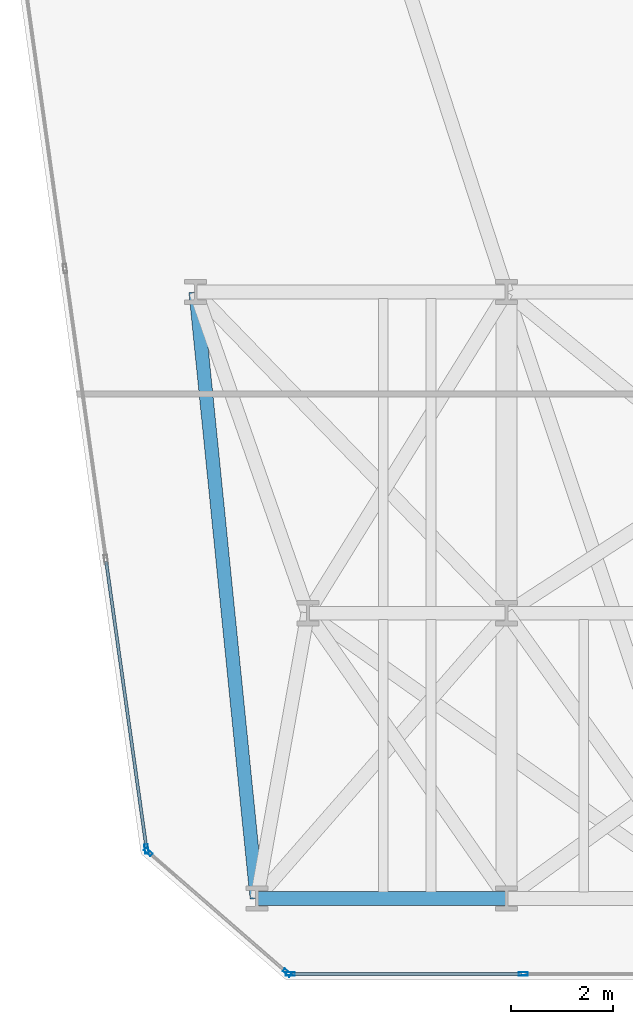
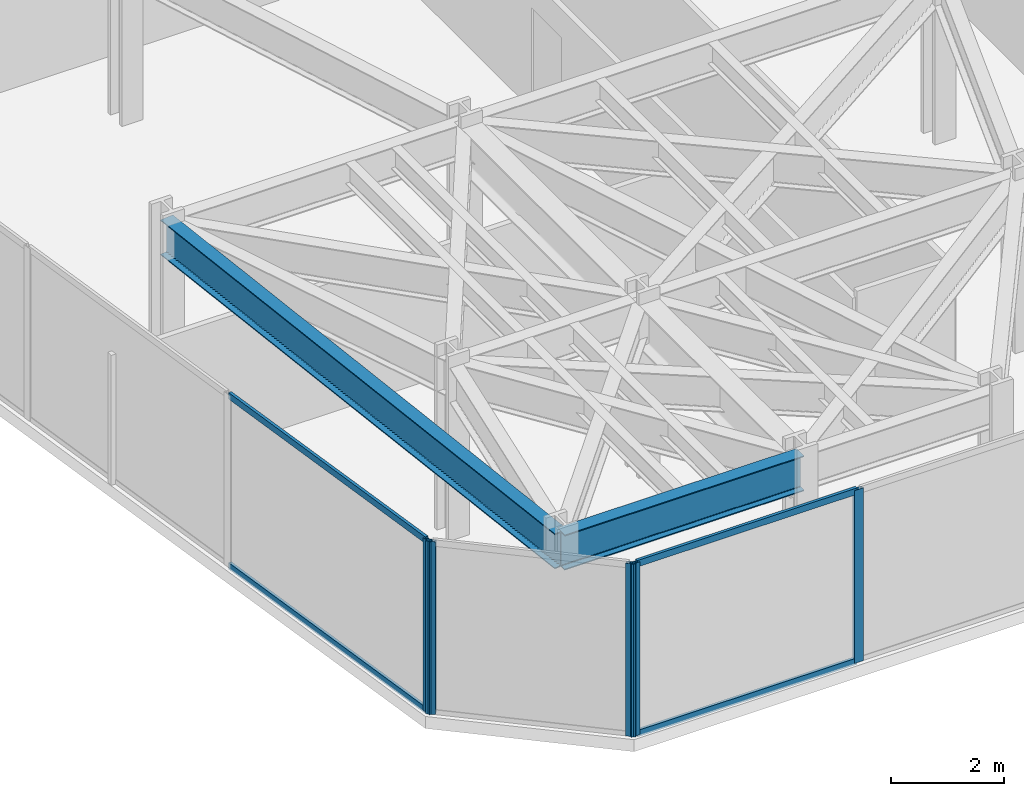
# One storey, part 2 of 25: 9 members, 2 beams, 3 elements without a shape of their own.
"""IFC4 building model written with IfcOpenShell, lengths in metres."""

from ifc_helpers import new_model, si_unit, direction, frame, origin, origin_2d, place, context, subcontext, project, spatial, hollow_rectangle, i_section, extrude, material, layer, layer_set, material_profile, profile_set, type_object, element, aggregate, save


model = new_model("IFC4")

# Units and contexts
model_context = context("Model", 3, precision=1e-05, world=origin(), true_north=direction((0.0, 1.0)))
body_context = subcontext(model_context, "Body", "Model", "MODEL_VIEW")
ifc_project = project(units=[si_unit("LENGTHUNIT", "METRE"), si_unit("AREAUNIT", "SQUARE_METRE"), si_unit("VOLUMEUNIT", "CUBIC_METRE"), si_unit("PLANEANGLEUNIT", "RADIAN"), si_unit("MASSUNIT", "GRAM", prefix="KILO")], contexts=[model_context])

# Site, building, storey
site_placement = place(None, origin())
site = spatial("IfcSite", under=ifc_project, at=site_placement, CompositionType="ELEMENT")
building_placement = place(site_placement, origin())
building = spatial("IfcBuilding", under=site, at=building_placement, Name="Kravanh Interchange Tower", CompositionType="ELEMENT")
storey_placement = place(building_placement, frame((0.0, 0.0, 73.5)))
storey = spatial("IfcBuildingStorey", under=building, at=storey_placement, Name="L17", CompositionType="ELEMENT", Elevation=73.5)

# Curtain wall, member
ifc_material_1 = material(Name="Anodised Bronze Aluminium", Category="aluminium")
ifc_layer = layer(ifc_material_1, 0.179931640625)
ifc_layer_set = layer_set([ifc_layer], Name="Unitised Curtain Wall System CW-Z1 Lower Office")
curtain_wall_type = type_object("IfcCurtainWallType", Name="Unitised Curtain Wall System CW-Z1 Lower Office", PredefinedType="NOTDEFINED", material=ifc_layer_set)
curtain_wall_1_placement = place(storey_placement, origin())
curtain_wall_1 = element("IfcCurtainWall", 1, at=curtain_wall_1_placement, inside=storey, type_object=curtain_wall_type, Name="L17 Unitised Curtain Wall CW-L17-01", PredefinedType="NOTDEFINED")
ifc_material_2 = material(Name="Anodised Bronze Aluminium", Category="aluminium")
ifc_material_profile_1 = material_profile(ifc_material_2, hollow_rectangle(XDim=0.070068359375, YDim=0.179931640625, WallThickness=0.00390625, at=origin_2d()), Name="ALU70X180X4")
ifc_profile_set_1 = profile_set([ifc_material_profile_1], Name="Anodised Bronze Aluminium")
member_type_1 = type_object("IfcMemberType", Name="Curtain Wall Mullion ALU70X180X4 Bronze", PredefinedType="MULLION", material=ifc_profile_set_1)
member_1_placement = place(storey_placement, frame((10.435546875, 3.571533203125, 0.0), z_axis=(0.0, 0.0, 1.0), x_axis=(-0.990267585682, -0.139176538065, 0.0)))
member_1 = element("IfcMember", 2, at=member_1_placement, type_object=member_type_1, Name="CW-Z1 mullion 1", PredefinedType="MULLION", context=body_context, shape_type="SweptSolid", body=[
    extrude(hollow_rectangle(XDim=0.070068359375, YDim=0.179931640625, WallThickness=0.00390625, at=origin_2d()), origin(), (0.0, 0.0, 1.0), 3.739990234375),
])

# Curtain wall, members
curtain_wall_2_placement = place(storey_placement, origin())
curtain_wall_2 = element("IfcCurtainWall", 3, at=curtain_wall_2_placement, inside=storey, type_object=curtain_wall_type, Name="L17 Unitised Curtain Wall CW-L17-06", PredefinedType="NOTDEFINED")
member_2_placement = place(storey_placement, frame((17.8271484375, 1.1201171875, 0.0), z_axis=(0.0, 0.0, 1.0), x_axis=(0.0, -1.0, 0.0)))
member_2 = element("IfcMember", 4, at=member_2_placement, type_object=member_type_1, Name="CW-Z1 mullion 2", PredefinedType="MULLION", context=body_context, shape_type="SweptSolid", body=[
    extrude(hollow_rectangle(XDim=0.070068359375, YDim=0.179931640625, WallThickness=0.00390625, at=origin_2d()), origin(), (0.0, 0.0, 1.0), 3.739990234375),
])
member_3_placement = place(storey_placement, frame((13.255615234375, 1.1201171875, 0.0), z_axis=(0.0, 0.0, 1.0), x_axis=(0.0, -1.0, 0.0)))
member_3 = element("IfcMember", 5, at=member_3_placement, type_object=member_type_1, Name="CW-Z1 mullion 3", PredefinedType="MULLION", context=body_context, shape_type="SweptSolid", body=[
    extrude(hollow_rectangle(XDim=0.070068359375, YDim=0.179931640625, WallThickness=0.00390625, at=origin_2d()), origin(), (0.0, 0.0, 1.0), 3.739990234375),
])

curtain_wall_3_placement = place(storey_placement, origin())
curtain_wall_3 = element("IfcCurtainWall", 6, at=curtain_wall_3_placement, inside=storey, type_object=curtain_wall_type, Name="L17 Unitised Curtain Wall CW-L17-07", PredefinedType="NOTDEFINED")
member_4_placement = place(storey_placement, frame((13.194091796875, 1.14306640625, 0.0), z_axis=(0.0, 0.0, 1.0), x_axis=(-0.656060422341, -0.754708368999, 0.0)))
member_4 = element("IfcMember", 7, at=member_4_placement, type_object=member_type_1, Name="CW-Z1 mullion 1", PredefinedType="MULLION", context=body_context, shape_type="SweptSolid", body=[
    extrude(hollow_rectangle(XDim=0.070068359375, YDim=0.179931640625, WallThickness=0.00390625, at=origin_2d()), origin(), (0.0, 0.0, 1.0), 3.739990234375),
])
member_5_placement = place(storey_placement, frame((10.466796875, 3.513916015625, 0.0), z_axis=(0.0, 0.0, 1.0), x_axis=(-0.656060422341, -0.754708368999, 0.0)))
member_5 = element("IfcMember", 8, at=member_5_placement, type_object=member_type_1, Name="CW-Z1 mullion 2", PredefinedType="MULLION", context=body_context, shape_type="SweptSolid", body=[
    extrude(hollow_rectangle(XDim=0.070068359375, YDim=0.179931640625, WallThickness=0.00390625, at=origin_2d()), origin(), (0.0, 0.0, 1.0), 3.739990234375),
])
aggregate(curtain_wall_3, [member_4, member_5])

# Member
ifc_material_3 = material(Name="Anodised Bronze Aluminium", Category="aluminium")
ifc_material_profile_2 = material_profile(ifc_material_3, hollow_rectangle(XDim=0.06005859375, YDim=0.139892578125, WallThickness=0.00390625, at=origin_2d()), Name="ALU60X140X4")
ifc_profile_set_2 = profile_set([ifc_material_profile_2], Name="Anodised Bronze Aluminium")
member_type_2 = type_object("IfcMemberType", Name="Curtain Wall Transom ALU60X140X4 Bronze", PredefinedType="USERDEFINED", material=ifc_profile_set_2)
member_6_placement = place(storey_placement, frame((10.4306640625, 3.606201171875, 0.030029296875), z_axis=(-0.139199330487, 0.990264382068, 0.0), x_axis=(-0.990264382068, -0.139199330487, 0.0)))
member_6 = element("IfcMember", 9, at=member_6_placement, type_object=member_type_2, Name="CW-Z1 transom 1.1", ObjectType="TRANSOM", PredefinedType="USERDEFINED", context=body_context, shape_type="SweptSolid", body=[
    extrude(hollow_rectangle(XDim=0.06005859375, YDim=0.139892578125, WallThickness=0.00390625, at=origin_2d()), origin(), (0.0, 0.0, 1.0), 5.66162109375),
])

member_7_placement = place(storey_placement, frame((10.4306640625, 3.606201171875, 3.7099609375), z_axis=(-0.139199330487, 0.990264382068, 0.0), x_axis=(-0.990264382068, -0.139199330487, 0.0)))
member_7 = element("IfcMember", 10, at=member_7_placement, type_object=member_type_2, Name="CW-Z1 transom 1.2", ObjectType="TRANSOM", PredefinedType="USERDEFINED", context=body_context, shape_type="SweptSolid", body=[
    extrude(hollow_rectangle(XDim=0.06005859375, YDim=0.139892578125, WallThickness=0.00390625, at=origin_2d()), origin(), (0.0, 0.0, 1.0), 5.66162109375),
])

aggregate(curtain_wall_1, [member_1, member_6, member_7])

member_8_placement = place(storey_placement, frame((17.792236328125, 1.1201171875, 0.030029296875), z_axis=(-1.0, 0.0, 0.0), x_axis=(0.0, -1.0, 0.0)))
member_8 = element("IfcMember", 11, at=member_8_placement, type_object=member_type_2, Name="CW-Z1 transom 2.1", ObjectType="TRANSOM", PredefinedType="USERDEFINED", context=body_context, shape_type="SweptSolid", body=[
    extrude(hollow_rectangle(XDim=0.06005859375, YDim=0.139892578125, WallThickness=0.00390625, at=origin_2d()), origin(), (0.0, 0.0, 1.0), 4.501708984375),
])

member_9_placement = place(storey_placement, frame((17.792236328125, 1.1201171875, 3.7099609375), z_axis=(-1.0, 0.0, 0.0), x_axis=(0.0, -1.0, 0.0)))
member_9 = element("IfcMember", 12, at=member_9_placement, type_object=member_type_2, Name="CW-Z1 transom 2.2", ObjectType="TRANSOM", PredefinedType="USERDEFINED", context=body_context, shape_type="SweptSolid", body=[
    extrude(hollow_rectangle(XDim=0.06005859375, YDim=0.139892578125, WallThickness=0.00390625, at=origin_2d()), origin(), (0.0, 0.0, 1.0), 4.501708984375),
])

aggregate(curtain_wall_2, [member_2, member_3, member_8, member_9])

# Beams
ifc_material_4 = material(Name="Structural Steel S355", Category="steel")
ifc_material_profile_3 = material_profile(ifc_material_4, i_section(OverallWidth=0.26708984375, OverallDepth=0.761962890625, WebThickness=0.014404296875, FlangeThickness=0.021484375, FilletRadius=0.02490234375, at=origin_2d()), Name="W30X116")
ifc_profile_set_3 = profile_set([ifc_material_profile_3], Name="Structural Steel S355")
beam_type = type_object("IfcBeamType", Name="Floor Spandrel W30X116 Structural Steel S355", PredefinedType="SPANDREL", material=ifc_profile_set_3)
beam_1_placement = place(storey_placement, frame((12.60009765625, 2.60009765625, 3.35888671875), z_axis=(1.0, 0.0, 0.0), x_axis=(0.0, 1.0, 0.0)))
element("IfcBeam", 13, at=beam_1_placement, inside=storey, type_object=beam_type, Name="L17 Perimeter Spandrel 38", PredefinedType="SPANDREL", context=body_context, shape_type="SweptSolid", body=[
    extrude(i_section(OverallWidth=0.26708984375, OverallDepth=0.761962890625, WebThickness=0.014404296875, FlangeThickness=0.021484375, FilletRadius=0.02490234375, at=origin_2d()), origin(), (0.0, 0.0, 1.0), 4.89990234375),
])
beam_2_placement = place(storey_placement, frame((12.60009765625, 2.60009765625, 3.35888671875), z_axis=(-0.100348483042, 0.994952351598, 0.0), x_axis=(-0.994952351598, -0.100348483042, 0.0)))
element("IfcBeam", 14, at=beam_2_placement, inside=storey, type_object=beam_type, Name="L17 Perimeter Spandrel 41", PredefinedType="SPANDREL", context=body_context, shape_type="SweptSolid", body=[
    extrude(i_section(OverallWidth=0.26708984375, OverallDepth=0.761962890625, WebThickness=0.014404296875, FlangeThickness=0.021484375, FilletRadius=0.02490234375, at=origin_2d()), origin(), (0.0, 0.0, 1.0), 11.960205078125),
])

save(model, "model.ifc")
